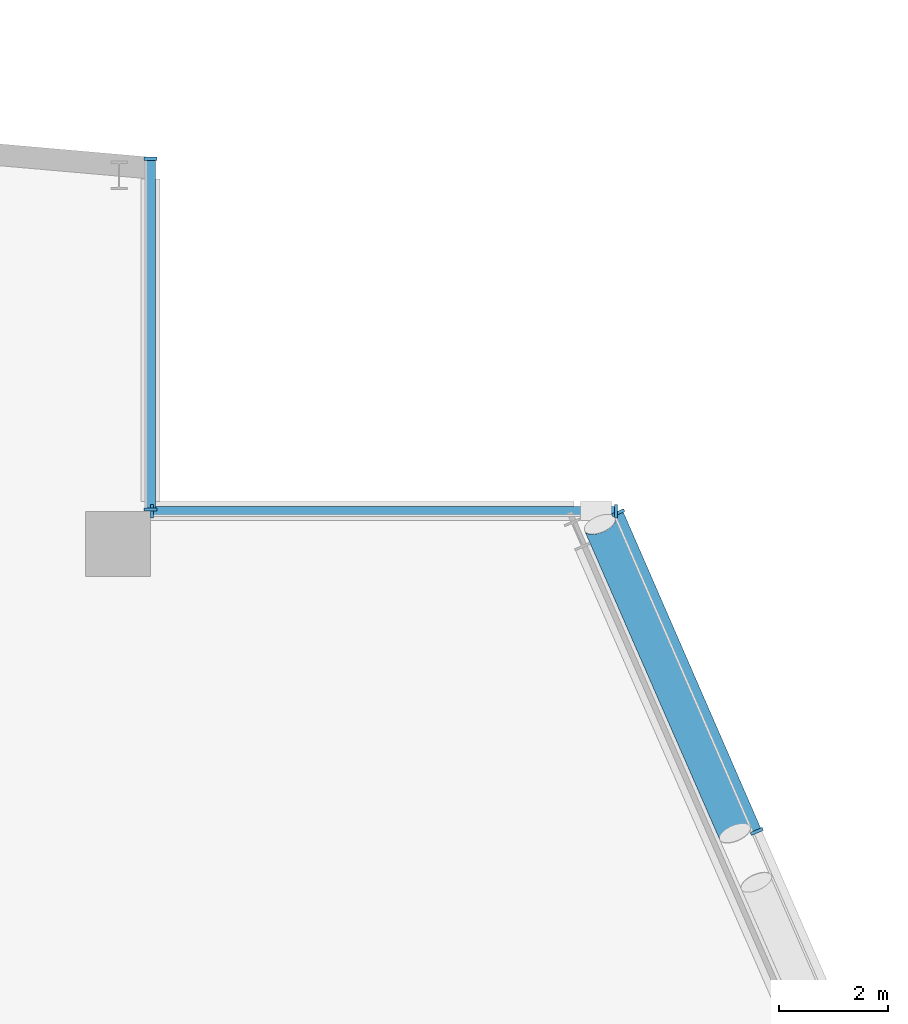
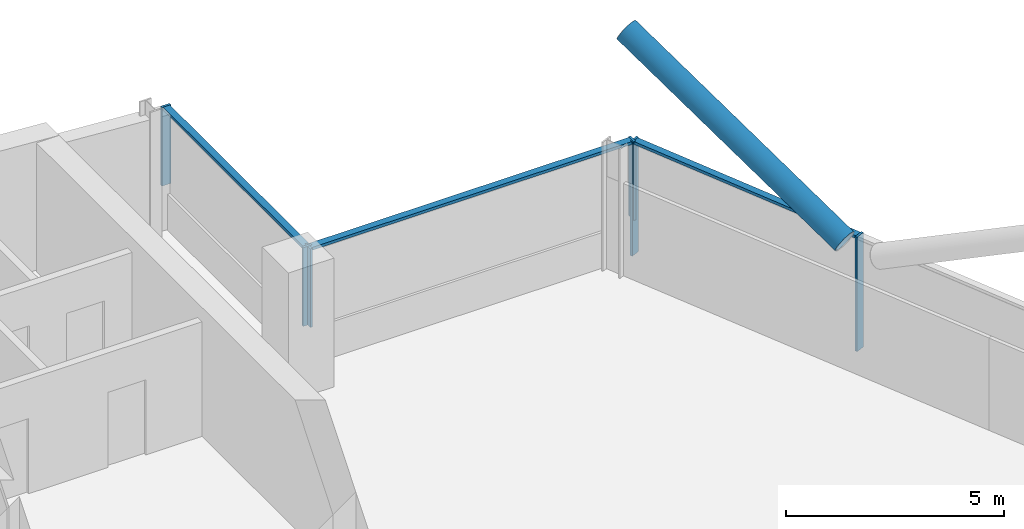
# One storey, part 11 of 26: 10 members, 3 elements without a shape of their own.
"""IFC4 building model written with IfcOpenShell, lengths in metres."""

import ifcopenshell
import ifcopenshell.guid

model = None  # the IFC model being written
_history = None  # IfcOwnerHistory: only IFC2X3 demands one
_inside = {}  # id of a spatial element -> (the spatial element, [elements in it])
_under = {}  # id of a project, library or spatial element -> (it, [spatial elements below it])
_declared = {}  # id of a project -> (the project, [libraries it declares])
_typed = {}  # id of a type object -> (the type object, [elements of that type])
_made_of = {}  # id of a material, layer set ... -> (it, [elements and type objects made of it])


def new_model(schema):
    """Start an empty IFC model of exactly this schema.

    Asked for "IFC4X3", IfcOpenShell would pick the latest addendum, in which some entities
    have other attributes; the version numbers below select the first issue.
    IFC2X3 requires an IfcOwnerHistory on every rooted entity: one is made here for all.
    """
    global model, _history
    if schema == "IFC4X3":
        model = ifcopenshell.file(schema_version=(4, 3, 0, 0))
    else:
        model = ifcopenshell.file(schema=schema)
    _inside.clear()
    _under.clear()
    _declared.clear()
    _typed.clear()
    _made_of.clear()
    _history = None
    if model.schema == "IFC2X3":
        org = make("IfcOrganization", Name="unknown")
        user = make(
            "IfcPersonAndOrganization",
            ThePerson=make("IfcPerson", FamilyName="unknown"),
            TheOrganization=org,
        )
        app = make(
            "IfcApplication",
            ApplicationDeveloper=org,
            Version="unknown",
            ApplicationFullName="unknown",
            ApplicationIdentifier="unknown",
        )
        _history = make(
            "IfcOwnerHistory",
            OwningUser=user,
            OwningApplication=app,
            ChangeAction="ADDED",
            CreationDate=0,
        )
    return model


def make(cls, **values):
    """One entity of the class cls with the attributes given. An attribute that is None is left unset."""
    return model.create_entity(
        cls, **{name: value for name, value in values.items() if value is not None}
    )


def rooted(cls, **values):
    """An entity with a GlobalId (a new one), such as an element, a storey or a relation."""
    return make(cls, GlobalId=ifcopenshell.guid.new(), OwnerHistory=_history, **values)


def si_unit(unit_type, name, prefix=None):
    """IfcSIUnit, for example si_unit("LENGTHUNIT", "METRE", prefix="MILLI")."""
    return make("IfcSIUnit", UnitType=unit_type, Prefix=prefix, Name=name)


def assignment(units):
    """IfcUnitAssignment: the units of a project."""
    return None if units is None else make("IfcUnitAssignment", Units=units)


def point(xyz):
    """IfcCartesianPoint."""
    return None if xyz is None else make("IfcCartesianPoint", Coordinates=xyz)


def direction(xyz):
    """IfcDirection."""
    return None if xyz is None else make("IfcDirection", DirectionRatios=xyz)


def frame(location, z_axis=None, x_axis=None):
    """IfcAxis2Placement3D, a coordinate frame: its origin and axes. An axis left out is left unset."""
    return make(
        "IfcAxis2Placement3D",
        Location=point(location),
        Axis=direction(z_axis),
        RefDirection=direction(x_axis),
    )


def frame_2d(location, x_axis=None):
    """IfcAxis2Placement2D, a coordinate frame in the plane: its origin and x axis."""
    return make(
        "IfcAxis2Placement2D", Location=point(location), RefDirection=direction(x_axis)
    )


def origin():
    """The frame at (0, 0, 0) with its axes left unset."""
    return frame((0.0, 0.0, 0.0))


def origin_2d():
    """The frame at (0, 0) in the plane with its x axis left unset."""
    return frame_2d((0.0, 0.0))


def place(relative_to, where):
    """IfcLocalPlacement: puts the frame where relative to a parent placement (None: the world)."""
    return make(
        "IfcLocalPlacement", PlacementRelTo=relative_to, RelativePlacement=where
    )


def context(
    kind, dimensions, precision=None, world=None, true_north=None, identifier=None
):
    """IfcGeometricRepresentationContext, for example the 3D "Model" context."""
    return make(
        "IfcGeometricRepresentationContext",
        ContextIdentifier=identifier,
        ContextType=kind,
        CoordinateSpaceDimension=dimensions,
        Precision=precision,
        WorldCoordinateSystem=world,
        TrueNorth=true_north,
    )


def subcontext(parent, identifier, kind, view, scale=None):
    """IfcGeometricRepresentationSubContext, for example "Body" below "Model"."""
    return make(
        "IfcGeometricRepresentationSubContext",
        ContextIdentifier=identifier,
        ContextType=kind,
        ParentContext=parent,
        TargetScale=scale,
        TargetView=view,
    )


def project(units=None, contexts=None):
    """IfcProject with its units and contexts."""
    return rooted(
        "IfcProject",
        Name="project",
        RepresentationContexts=contexts,
        UnitsInContext=assignment(units),
    )


def spatial(cls, under=None, at=None, **own):
    """A site, building, storey or space (cls), placed at a placement, below another one or the project."""
    s = rooted(cls, ObjectPlacement=at, **own)
    if under is not None:
        _under.setdefault(under.id(), (under, []))[1].append(s)
    return s


def profile(cls, at=None, kind="AREA", **sizes):
    """A parametric profile (cls). Its sizes go by their IFC names, for example OverallWidth=200.0."""
    return make(cls, ProfileType=kind, Position=at, **sizes)


def rectangle(**sizes):
    """IfcRectangleProfileDef."""
    return profile("IfcRectangleProfileDef", **sizes)


def hollow_circle(**sizes):
    """IfcCircleHollowProfileDef."""
    return profile("IfcCircleHollowProfileDef", **sizes)


def extrude(swept, where, along, depth):
    """IfcExtrudedAreaSolid: the profile swept, set in the frame where, extruded along a direction by depth."""
    return make(
        "IfcExtrudedAreaSolid",
        SweptArea=swept,
        Position=where,
        ExtrudedDirection=direction(along),
        Depth=depth,
    )


def shape(context_of_items, identifier, shape_type, items):
    """IfcShapeRepresentation: the items that make up one representation, for example the "Body"."""
    return make(
        "IfcShapeRepresentation",
        ContextOfItems=context_of_items,
        RepresentationIdentifier=identifier,
        RepresentationType=shape_type,
        Items=items,
    )


def material(Name=None, Category=None):
    """IfcMaterial."""
    return make("IfcMaterial", Name=Name, Category=Category)


def material_profile(
    of_material, cross_section, Name=None, Category=None, Priority=None
):
    """IfcMaterialProfile: a cross section and its material."""
    return make(
        "IfcMaterialProfile",
        Name=Name,
        Material=of_material,
        Profile=cross_section,
        Priority=Priority,
        Category=Category,
    )


def profile_set(profiles, Name=None, composite=None):
    """IfcMaterialProfileSet."""
    return make(
        "IfcMaterialProfileSet",
        Name=Name,
        MaterialProfiles=profiles,
        CompositeProfile=composite,
    )


def made_of(thing, what):
    """Note that an element or type object is made of a material, layer set ...; save() writes the relation."""
    if what is not None:
        _made_of.setdefault(what.id(), (what, []))[1].append(thing)
    return thing


def type_object(cls, material=None, **own):
    """A type object (cls), such as IfcWallType, which elements share."""
    return made_of(rooted(cls, **own), material)


def element(
    cls,
    number,
    at=None,
    inside=None,
    cuts=None,
    type_object=None,
    material=None,
    context=None,
    identifier="Body",
    shape_type=None,
    held_by="IfcProductDefinitionShape",
    body=None,
    shapes=None,
    **own,
):
    """One element of the class cls, such as IfcWall. Its Tag is "e" and its number.

    at: its placement. inside: the storey or other place that contains it. cuts: it is an
    opening in that element (IfcRelVoidsElement). A single representation is given by context,
    identifier, shape_type and body (its items); several are given by shapes. held_by: the class
    of the entity that holds the representations. save() writes the other relations.
    """
    e = rooted(cls, Tag="e%d" % number, ObjectPlacement=at, **own)
    if body is not None:
        shapes = [shape(context, identifier, shape_type, body)]
    if shapes is not None:
        e.Representation = make(held_by, Representations=shapes)
    if inside is not None:
        _inside.setdefault(inside.id(), (inside, []))[1].append(e)
    if cuts is not None:
        rooted(
            "IfcRelVoidsElement", RelatingBuildingElement=cuts, RelatedOpeningElement=e
        )
    if type_object is not None:
        _typed.setdefault(type_object.id(), (type_object, []))[1].append(e)
    return made_of(e, material)


def aggregate(whole, parts):
    """IfcRelAggregates: a whole, such as a stair, and the parts it consists of."""
    return rooted("IfcRelAggregates", RelatingObject=whole, RelatedObjects=parts)


def save(model, path):
    """Write the relations noted so far, then the file.

    IfcRelAggregates (storeys below a building ...), IfcRelContainedInSpatialStructure (elements
    in a storey), IfcRelDefinesByType, IfcRelAssociatesMaterial and IfcRelDeclares: one each for
    every whole, place, type object, material and project.
    """
    for whole, parts in _under.values():
        aggregate(whole, parts)
    for where, things in _inside.values():
        rooted(
            "IfcRelContainedInSpatialStructure",
            RelatedElements=things,
            RelatingStructure=where,
        )
    for kind, things in _typed.values():
        rooted("IfcRelDefinesByType", RelatedObjects=things, RelatingType=kind)
    for what, things in _made_of.values():
        rooted("IfcRelAssociatesMaterial", RelatedObjects=things, RelatingMaterial=what)
    for by, libraries in _declared.values():
        rooted("IfcRelDeclares", RelatingContext=by, RelatedDefinitions=libraries)
    model.write(path)


model = new_model("IFC4")

# Units and contexts
model_context = context("Model", 3, precision=1e-05, world=origin(), true_north=direction((0.0, 1.0)))
body_context = subcontext(model_context, "Body", "Model", "MODEL_VIEW")
ifc_project = project(units=[si_unit("LENGTHUNIT", "METRE"), si_unit("AREAUNIT", "SQUARE_METRE"), si_unit("VOLUMEUNIT", "CUBIC_METRE"), si_unit("PLANEANGLEUNIT", "RADIAN"), si_unit("MASSUNIT", "GRAM", prefix="KILO")], contexts=[model_context])

# Site, building, storey
site_placement = place(None, origin())
site = spatial("IfcSite", under=ifc_project, at=site_placement, CompositionType="ELEMENT")
building_placement = place(site_placement, origin())
building = spatial("IfcBuilding", under=site, at=building_placement, Name="Wharfspan Tower", CompositionType="ELEMENT")
storey_placement = place(building_placement, frame((0.0, 0.0, 235.899902)))
storey = spatial("IfcBuildingStorey", under=building, at=storey_placement, Name="L59", CompositionType="ELEMENT", Elevation=235.899902)

# Curtain wall, members
ifc_material_1 = material(Name="Aluminium 6063-T6", Category="aluminium")
curtain_wall_type = type_object("IfcCurtainWallType", Name="CURTAIN WALL PROW AND END", PredefinedType="NOTDEFINED", material=ifc_material_1)
curtain_wall_1_placement = place(storey_placement, origin())
curtain_wall_1 = element("IfcCurtainWall", 1, at=curtain_wall_1_placement, inside=storey, type_object=curtain_wall_type, Name="Curtain wall E", PredefinedType="NOTDEFINED")
ifc_material_profile_1 = material_profile(ifc_material_1, rectangle(XDim=0.23999, YDim=0.060059, at=origin_2d()))
ifc_profile_set_1 = profile_set([ifc_material_profile_1], Name="Aluminium 6063-T6")
member_type_1 = type_object("IfcMemberType", Name="MULLION PROW AND END 60x240", PredefinedType="MULLION", material=ifc_profile_set_1)
member_1_placement = place(storey_placement, frame((72.173828, 36.100098, 0.0), z_axis=(0.0, 0.0, 1.0), x_axis=(-0.917072, -0.398727, 0.0)))
member_1 = element("IfcMember", 2, at=member_1_placement, type_object=member_type_1, Name="Curtain wall E mullion 6", PredefinedType="MULLION", context=body_context, shape_type="SweptSolid", body=[
    extrude(rectangle(XDim=0.23999, YDim=0.060059, at=origin_2d()), origin(), (0.0, 0.0, 1.0), 3.200195),
])
member_2_placement = place(storey_placement, frame((69.620605, 41.972412, 0.0), z_axis=(0.0, 0.0, 1.0), x_axis=(-0.917072, -0.398727, 0.0)))
member_2 = element("IfcMember", 3, at=member_2_placement, type_object=member_type_1, Name="Curtain wall E mullion 7", PredefinedType="MULLION", context=body_context, shape_type="SweptSolid", body=[
    extrude(rectangle(XDim=0.23999, YDim=0.060059, at=origin_2d()), origin(), (0.0, 0.0, 1.0), 3.200195),
])

curtain_wall_2_placement = place(storey_placement, origin())
curtain_wall_2 = element("IfcCurtainWall", 4, at=curtain_wall_2_placement, inside=storey, type_object=curtain_wall_type, Name="Curtain wall NRE-H", PredefinedType="NOTDEFINED")
member_3_placement = place(storey_placement, frame((69.578613, 42.0, 1.0), z_axis=(0.0, 0.0, 1.0), x_axis=(0.0, -1.0, 0.0)))
member_3 = element("IfcMember", 5, at=member_3_placement, type_object=member_type_1, Name="Curtain wall NRE-H mullion 1", PredefinedType="MULLION", context=body_context, shape_type="SweptSolid", body=[
    extrude(rectangle(XDim=0.23999, YDim=0.060059, at=origin_2d()), origin(), (0.0, 0.0, 1.0), 2.200195),
])
member_4_placement = place(storey_placement, frame((61.030029, 42.0, 1.0), z_axis=(0.0, 0.0, 1.0), x_axis=(0.0, -1.0, 0.0)))
member_4 = element("IfcMember", 6, at=member_4_placement, type_object=member_type_1, Name="Curtain wall NRE-H mullion 2", PredefinedType="MULLION", context=body_context, shape_type="SweptSolid", body=[
    extrude(rectangle(XDim=0.23999, YDim=0.060059, at=origin_2d()), origin(), (0.0, 0.0, 1.0), 2.200195),
])

curtain_wall_3_placement = place(storey_placement, origin())
curtain_wall_3 = element("IfcCurtainWall", 7, at=curtain_wall_3_placement, inside=storey, type_object=curtain_wall_type, Name="Curtain wall NRE-V", PredefinedType="NOTDEFINED")
member_5_placement = place(storey_placement, frame((61.0, 42.030029, 1.0), z_axis=(0.0, 0.0, 1.0), x_axis=(-1.0, 0.0, 0.0)))
member_5 = element("IfcMember", 8, at=member_5_placement, type_object=member_type_1, Name="Curtain wall NRE-V mullion 1", PredefinedType="MULLION", context=body_context, shape_type="SweptSolid", body=[
    extrude(rectangle(XDim=0.23999, YDim=0.060059, at=origin_2d()), origin(), (0.0, 0.0, 1.0), 2.200195),
])
member_6_placement = place(storey_placement, frame((61.0, 48.494873, 1.0), z_axis=(0.0, 0.0, 1.0), x_axis=(-1.0, 0.0, 0.0)))
member_6 = element("IfcMember", 9, at=member_6_placement, type_object=member_type_1, Name="Curtain wall NRE-V mullion 2", PredefinedType="MULLION", context=body_context, shape_type="SweptSolid", body=[
    extrude(rectangle(XDim=0.23999, YDim=0.060059, at=origin_2d()), origin(), (0.0, 0.0, 1.0), 2.200195),
])

# Member
ifc_material_2 = material(Name="Steel S460NH", Category="steel")
ifc_material_profile_2 = material_profile(ifc_material_2, hollow_circle(Radius=0.304932, WallThickness=0.024902, at=origin_2d()))
ifc_profile_set_2 = profile_set([ifc_material_profile_2], Name="Steel S460NH")
member_type_2 = type_object("IfcMemberType", Name="Mega brace CHS 610x25", PredefinedType="BRACE", material=ifc_profile_set_2)
member_7_placement = place(storey_placement, frame((71.769775, 36.06958, 3.166748), z_axis=(-0.352909, 0.807115, 0.473307), x_axis=(-0.916238, -0.400621, -3e-06)))
element("IfcMember", 10, at=member_7_placement, inside=storey, type_object=member_type_2, Name="Mega brace E6 L59 part 2", PredefinedType="BRACE", context=body_context, shape_type="SweptSolid", body=[
    extrude(hollow_circle(Radius=0.304932, WallThickness=0.024902, at=origin_2d()), origin(), (0.0, 0.0, 1.0), 7.04248),
])

ifc_material_profile_3 = material_profile(ifc_material_1, rectangle(XDim=0.179932, YDim=0.080078, at=origin_2d()))
ifc_profile_set_3 = profile_set([ifc_material_profile_3], Name="Aluminium 6063-T6")
member_type_3 = type_object("IfcMemberType", Name="TRANSOM PROW AND END 80x180", PredefinedType="USERDEFINED", material=ifc_profile_set_3)
member_8_placement = place(storey_placement, frame((72.161865, 36.127441, 3.160156), z_axis=(-0.398712, 0.917076, 0.0), x_axis=(-0.917076, -0.398712, 0.0)))
member_8 = element("IfcMember", 11, at=member_8_placement, type_object=member_type_3, Name="Curtain wall E transom 6", ObjectType="TRANSOM", PredefinedType="USERDEFINED", context=body_context, shape_type="SweptSolid", body=[
    extrude(rectangle(XDim=0.179932, YDim=0.080078, at=origin_2d()), origin(), (0.0, 0.0, 1.0), 6.34375),
])

aggregate(curtain_wall_1, [member_1, member_2, member_8])

member_9_placement = place(storey_placement, frame((69.548584, 42.0, 3.160156), z_axis=(-1.0, 0.0, 0.0), x_axis=(0.0, -1.0, 0.0)))
member_9 = element("IfcMember", 12, at=member_9_placement, type_object=member_type_3, Name="Curtain wall NRE-H transom 1", ObjectType="TRANSOM", PredefinedType="USERDEFINED", context=body_context, shape_type="SweptSolid", body=[
    extrude(rectangle(XDim=0.179932, YDim=0.080078, at=origin_2d()), origin(), (0.0, 0.0, 1.0), 8.488525),
])

aggregate(curtain_wall_2, [member_3, member_4, member_9])

member_10_placement = place(storey_placement, frame((61.0, 42.060059, 3.160156), z_axis=(0.0, 1.0, 0.0), x_axis=(-1.0, 0.0, 0.0)))
member_10 = element("IfcMember", 13, at=member_10_placement, type_object=member_type_3, Name="Curtain wall NRE-V transom 1", ObjectType="TRANSOM", PredefinedType="USERDEFINED", context=body_context, shape_type="SweptSolid", body=[
    extrude(rectangle(XDim=0.179932, YDim=0.080078, at=origin_2d()), origin(), (0.0, 0.0, 1.0), 6.404785),
])

aggregate(curtain_wall_3, [member_5, member_6, member_10])

save(model, "model.ifc")
